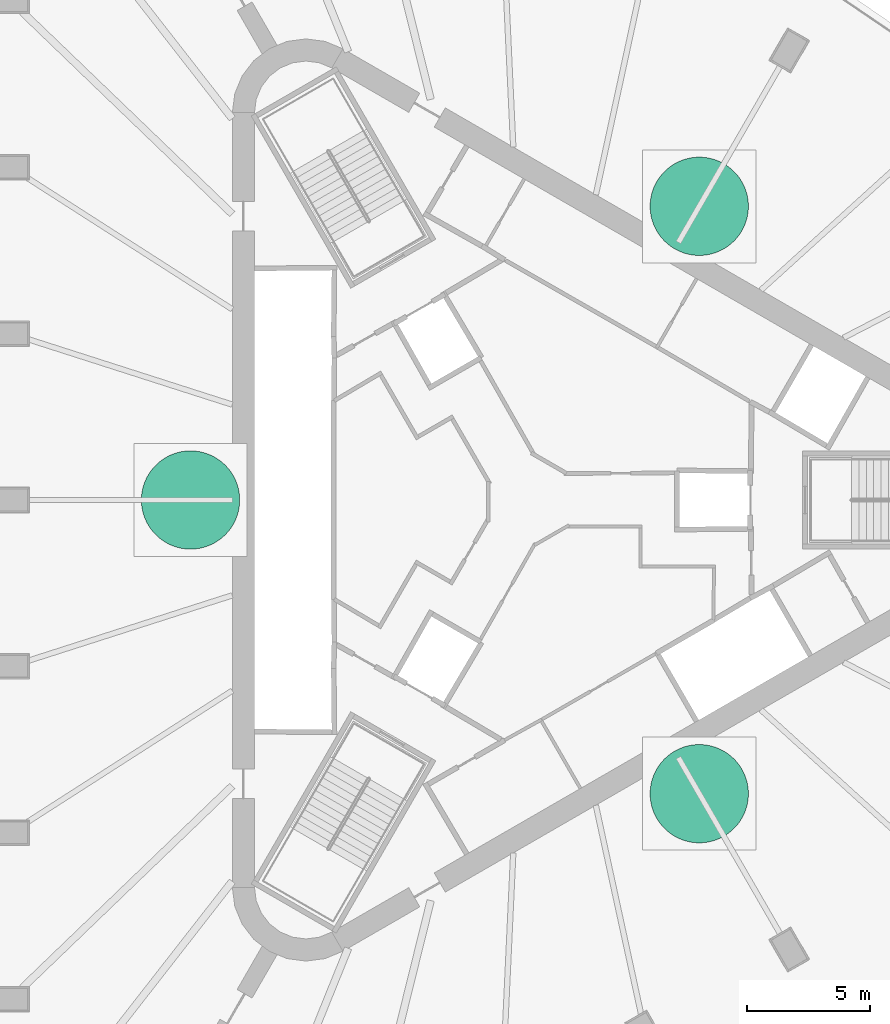
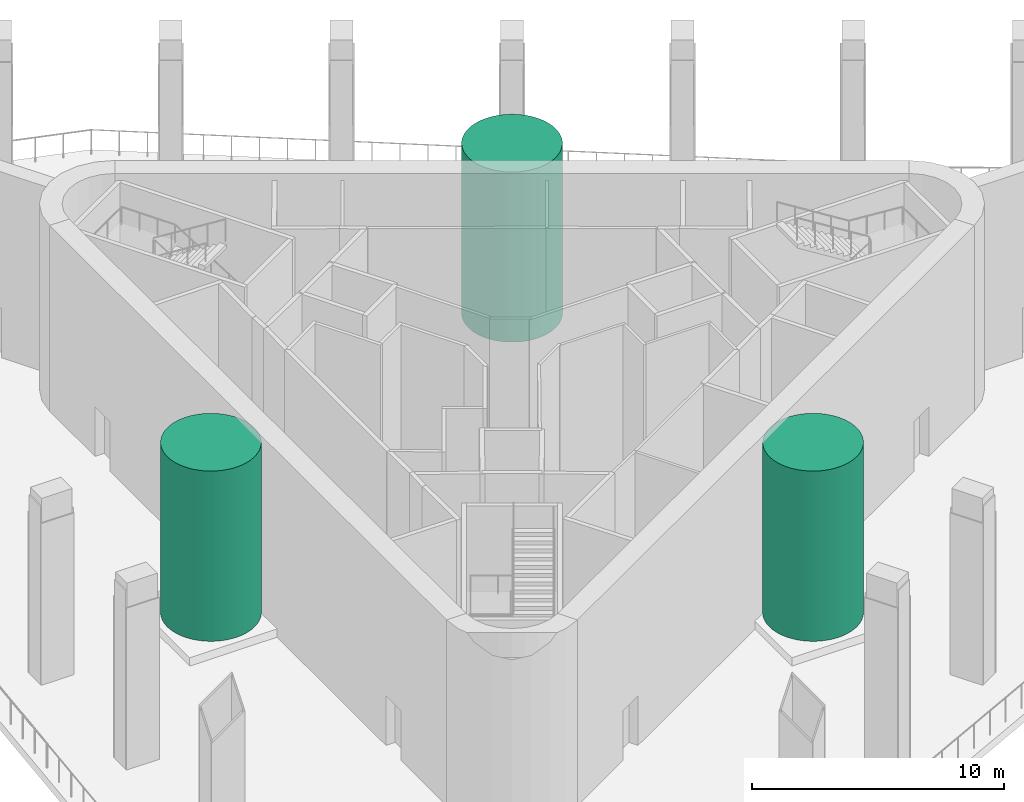
# One storey, part 10 of 10: 3 electric generators.
"""IFC4 building model written with IfcOpenShell, lengths in metres."""

import ifcopenshell
import ifcopenshell.guid

model = None  # the IFC model being written
_history = None  # IfcOwnerHistory: only IFC2X3 demands one
_inside = {}  # id of a spatial element -> (the spatial element, [elements in it])
_under = {}  # id of a project, library or spatial element -> (it, [spatial elements below it])
_declared = {}  # id of a project -> (the project, [libraries it declares])
_typed = {}  # id of a type object -> (the type object, [elements of that type])
_made_of = {}  # id of a material, layer set ... -> (it, [elements and type objects made of it])


def new_model(schema):
    """Start an empty IFC model of exactly this schema.

    Asked for "IFC4X3", IfcOpenShell would pick the latest addendum, in which some entities
    have other attributes; the version numbers below select the first issue.
    IFC2X3 requires an IfcOwnerHistory on every rooted entity: one is made here for all.
    """
    global model, _history
    if schema == "IFC4X3":
        model = ifcopenshell.file(schema_version=(4, 3, 0, 0))
    else:
        model = ifcopenshell.file(schema=schema)
    _inside.clear()
    _under.clear()
    _declared.clear()
    _typed.clear()
    _made_of.clear()
    _history = None
    if model.schema == "IFC2X3":
        org = make("IfcOrganization", Name="unknown")
        user = make(
            "IfcPersonAndOrganization",
            ThePerson=make("IfcPerson", FamilyName="unknown"),
            TheOrganization=org,
        )
        app = make(
            "IfcApplication",
            ApplicationDeveloper=org,
            Version="unknown",
            ApplicationFullName="unknown",
            ApplicationIdentifier="unknown",
        )
        _history = make(
            "IfcOwnerHistory",
            OwningUser=user,
            OwningApplication=app,
            ChangeAction="ADDED",
            CreationDate=0,
        )
    return model


def make(cls, **values):
    """One entity of the class cls with the attributes given. An attribute that is None is left unset."""
    return model.create_entity(
        cls, **{name: value for name, value in values.items() if value is not None}
    )


def rooted(cls, **values):
    """An entity with a GlobalId (a new one), such as an element, a storey or a relation."""
    return make(cls, GlobalId=ifcopenshell.guid.new(), OwnerHistory=_history, **values)


def si_unit(unit_type, name, prefix=None):
    """IfcSIUnit, for example si_unit("LENGTHUNIT", "METRE", prefix="MILLI")."""
    return make("IfcSIUnit", UnitType=unit_type, Prefix=prefix, Name=name)


def assignment(units):
    """IfcUnitAssignment: the units of a project."""
    return None if units is None else make("IfcUnitAssignment", Units=units)


def point(xyz):
    """IfcCartesianPoint."""
    return None if xyz is None else make("IfcCartesianPoint", Coordinates=xyz)


def direction(xyz):
    """IfcDirection."""
    return None if xyz is None else make("IfcDirection", DirectionRatios=xyz)


def frame(location, z_axis=None, x_axis=None):
    """IfcAxis2Placement3D, a coordinate frame: its origin and axes. An axis left out is left unset."""
    return make(
        "IfcAxis2Placement3D",
        Location=point(location),
        Axis=direction(z_axis),
        RefDirection=direction(x_axis),
    )


def frame_2d(location, x_axis=None):
    """IfcAxis2Placement2D, a coordinate frame in the plane: its origin and x axis."""
    return make(
        "IfcAxis2Placement2D", Location=point(location), RefDirection=direction(x_axis)
    )


def origin():
    """The frame at (0, 0, 0) with its axes left unset."""
    return frame((0.0, 0.0, 0.0))


def origin_2d():
    """The frame at (0, 0) in the plane with its x axis left unset."""
    return frame_2d((0.0, 0.0))


def place(relative_to, where):
    """IfcLocalPlacement: puts the frame where relative to a parent placement (None: the world)."""
    return make(
        "IfcLocalPlacement", PlacementRelTo=relative_to, RelativePlacement=where
    )


def context(
    kind, dimensions, precision=None, world=None, true_north=None, identifier=None
):
    """IfcGeometricRepresentationContext, for example the 3D "Model" context."""
    return make(
        "IfcGeometricRepresentationContext",
        ContextIdentifier=identifier,
        ContextType=kind,
        CoordinateSpaceDimension=dimensions,
        Precision=precision,
        WorldCoordinateSystem=world,
        TrueNorth=true_north,
    )


def subcontext(parent, identifier, kind, view, scale=None):
    """IfcGeometricRepresentationSubContext, for example "Body" below "Model"."""
    return make(
        "IfcGeometricRepresentationSubContext",
        ContextIdentifier=identifier,
        ContextType=kind,
        ParentContext=parent,
        TargetScale=scale,
        TargetView=view,
    )


def project(units=None, contexts=None):
    """IfcProject with its units and contexts."""
    return rooted(
        "IfcProject",
        Name="project",
        RepresentationContexts=contexts,
        UnitsInContext=assignment(units),
    )


def spatial(cls, under=None, at=None, **own):
    """A site, building, storey or space (cls), placed at a placement, below another one or the project."""
    s = rooted(cls, ObjectPlacement=at, **own)
    if under is not None:
        _under.setdefault(under.id(), (under, []))[1].append(s)
    return s


def profile(cls, at=None, kind="AREA", **sizes):
    """A parametric profile (cls). Its sizes go by their IFC names, for example OverallWidth=200.0."""
    return make(cls, ProfileType=kind, Position=at, **sizes)


def circle(**sizes):
    """IfcCircleProfileDef."""
    return profile("IfcCircleProfileDef", **sizes)


def extrude(swept, where, along, depth):
    """IfcExtrudedAreaSolid: the profile swept, set in the frame where, extruded along a direction by depth."""
    return make(
        "IfcExtrudedAreaSolid",
        SweptArea=swept,
        Position=where,
        ExtrudedDirection=direction(along),
        Depth=depth,
    )


def shape(context_of_items, identifier, shape_type, items):
    """IfcShapeRepresentation: the items that make up one representation, for example the "Body"."""
    return make(
        "IfcShapeRepresentation",
        ContextOfItems=context_of_items,
        RepresentationIdentifier=identifier,
        RepresentationType=shape_type,
        Items=items,
    )


def material(Name=None, Category=None):
    """IfcMaterial."""
    return make("IfcMaterial", Name=Name, Category=Category)


def material_profile(
    of_material, cross_section, Name=None, Category=None, Priority=None
):
    """IfcMaterialProfile: a cross section and its material."""
    return make(
        "IfcMaterialProfile",
        Name=Name,
        Material=of_material,
        Profile=cross_section,
        Priority=Priority,
        Category=Category,
    )


def profile_set(profiles, Name=None, composite=None):
    """IfcMaterialProfileSet."""
    return make(
        "IfcMaterialProfileSet",
        Name=Name,
        MaterialProfiles=profiles,
        CompositeProfile=composite,
    )


def made_of(thing, what):
    """Note that an element or type object is made of a material, layer set ...; save() writes the relation."""
    if what is not None:
        _made_of.setdefault(what.id(), (what, []))[1].append(thing)
    return thing


def type_object(cls, material=None, **own):
    """A type object (cls), such as IfcWallType, which elements share."""
    return made_of(rooted(cls, **own), material)


def element(
    cls,
    number,
    at=None,
    inside=None,
    cuts=None,
    type_object=None,
    material=None,
    context=None,
    identifier="Body",
    shape_type=None,
    held_by="IfcProductDefinitionShape",
    body=None,
    shapes=None,
    **own,
):
    """One element of the class cls, such as IfcWall. Its Tag is "e" and its number.

    at: its placement. inside: the storey or other place that contains it. cuts: it is an
    opening in that element (IfcRelVoidsElement). A single representation is given by context,
    identifier, shape_type and body (its items); several are given by shapes. held_by: the class
    of the entity that holds the representations. save() writes the other relations.
    """
    e = rooted(cls, Tag="e%d" % number, ObjectPlacement=at, **own)
    if body is not None:
        shapes = [shape(context, identifier, shape_type, body)]
    if shapes is not None:
        e.Representation = make(held_by, Representations=shapes)
    if inside is not None:
        _inside.setdefault(inside.id(), (inside, []))[1].append(e)
    if cuts is not None:
        rooted(
            "IfcRelVoidsElement", RelatingBuildingElement=cuts, RelatedOpeningElement=e
        )
    if type_object is not None:
        _typed.setdefault(type_object.id(), (type_object, []))[1].append(e)
    return made_of(e, material)


def aggregate(whole, parts):
    """IfcRelAggregates: a whole, such as a stair, and the parts it consists of."""
    return rooted("IfcRelAggregates", RelatingObject=whole, RelatedObjects=parts)


def save(model, path):
    """Write the relations noted so far, then the file.

    IfcRelAggregates (storeys below a building ...), IfcRelContainedInSpatialStructure (elements
    in a storey), IfcRelDefinesByType, IfcRelAssociatesMaterial and IfcRelDeclares: one each for
    every whole, place, type object, material and project.
    """
    for whole, parts in _under.values():
        aggregate(whole, parts)
    for where, things in _inside.values():
        rooted(
            "IfcRelContainedInSpatialStructure",
            RelatedElements=things,
            RelatingStructure=where,
        )
    for kind, things in _typed.values():
        rooted("IfcRelDefinesByType", RelatedObjects=things, RelatingType=kind)
    for what, things in _made_of.values():
        rooted("IfcRelAssociatesMaterial", RelatedObjects=things, RelatingMaterial=what)
    for by, libraries in _declared.values():
        rooted("IfcRelDeclares", RelatingContext=by, RelatedDefinitions=libraries)
    model.write(path)


model = new_model("IFC4")

# Units and contexts
model_context = context("Model", 3, precision=1e-05, world=origin(), true_north=direction((0.0, 1.0)))
body_context = subcontext(model_context, "Body", "Model", "MODEL_VIEW")
ifc_project = project(units=[si_unit("LENGTHUNIT", "METRE"), si_unit("AREAUNIT", "SQUARE_METRE"), si_unit("VOLUMEUNIT", "CUBIC_METRE"), si_unit("PLANEANGLEUNIT", "RADIAN"), si_unit("MASSUNIT", "GRAM", prefix="KILO")], contexts=[model_context])

# Site, building, storey
site_placement = place(None, origin())
site = spatial("IfcSite", under=ifc_project, at=site_placement, CompositionType="ELEMENT")
building_placement = place(site_placement, origin())
building = spatial("IfcBuilding", under=site, at=building_placement, Name="Tanit Gate Tower", CompositionType="ELEMENT")
storey_placement = place(building_placement, frame((0.0, 0.0, 283.699951171875)))
storey = spatial("IfcBuildingStorey", under=building, at=storey_placement, Name="L64", CompositionType="ELEMENT", Elevation=283.699951171875)

# Electric generators
ifc_material = material(Name="Steel S355 galvanised", Category="steel")
ifc_material_profile = material_profile(ifc_material, circle(Radius=2.0, at=origin_2d()), Name="4000 turbine rotor")
ifc_profile_set = profile_set([ifc_material_profile], Name="Steel S355 galvanised")
electric_generator_type = type_object("IfcElectricGeneratorType", Name="Vertical-axis wind turbine 4000", PredefinedType="USERDEFINED", material=ifc_profile_set)
for number, where, z_axis, x_axis, name in (
    (1, (6.89990234375, 11.951171875, 0.400146484375), (0.0, 0.0, 1.0), (1.0, 0.0, 0.0), "Wind turbine 1"),
    (2, (-13.800048828125, 0.0, 0.400146484375), (0.0, 0.0, 1.0), (1.0, 0.0, 0.0), "Wind turbine 2"),
    (3, (6.89990234375, -11.951171875, 0.400146484375), (0.0, 0.0, 1.0), (1.0, 0.0, 0.0), "Wind turbine 3"),
):
    element("IfcElectricGenerator", number, at=place(storey_placement, frame(where, z_axis=z_axis, x_axis=x_axis)), inside=storey, type_object=electric_generator_type, Name=name, ObjectType="WIND TURBINE", PredefinedType="USERDEFINED", context=body_context, shape_type="SweptSolid", body=[
        extrude(circle(Radius=2.0, at=origin_2d()), origin(), (0.0, 0.0, 1.0), 8.25),
    ])

save(model, "model.ifc")
